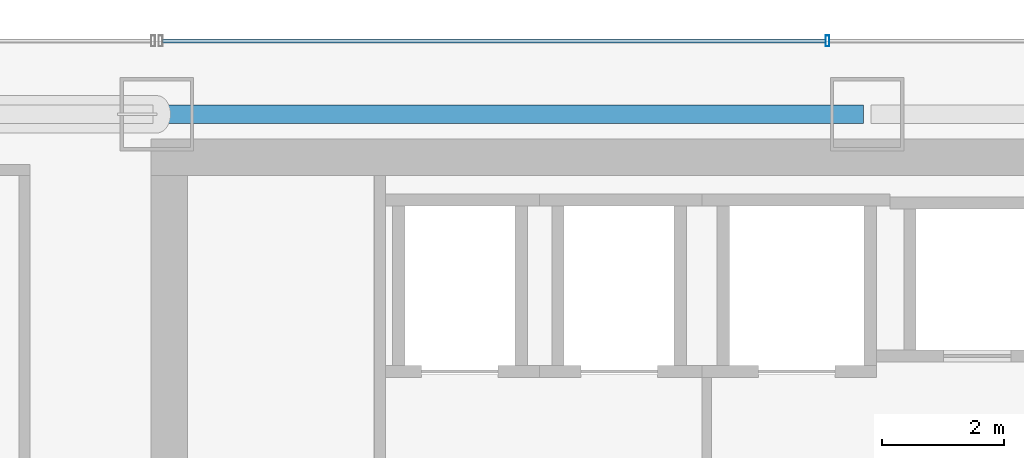
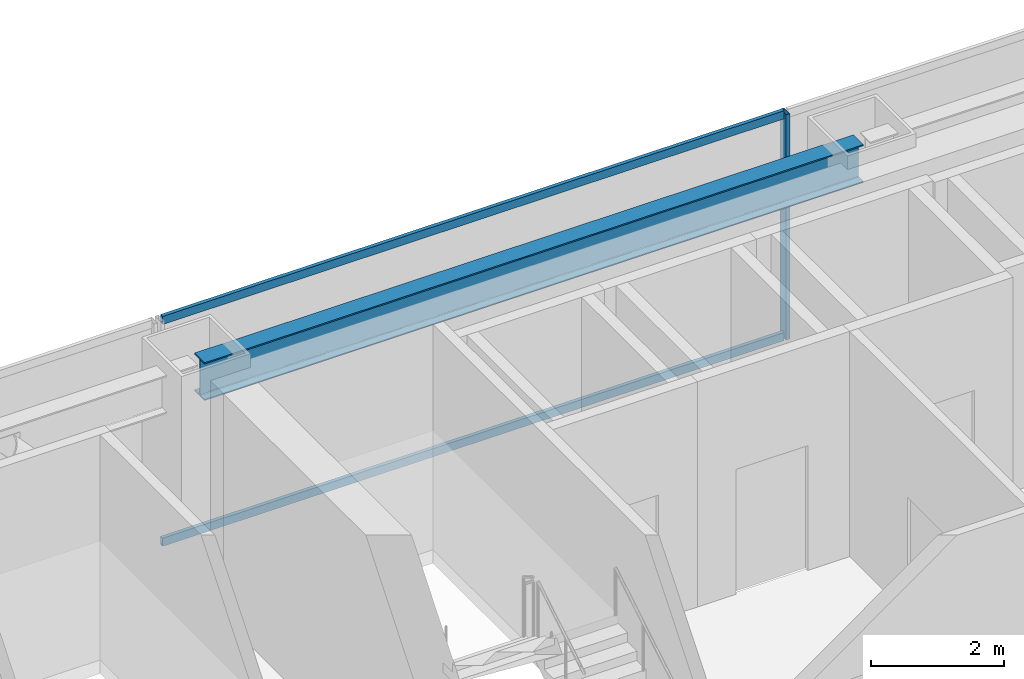
# One storey, part 27 of 47: 3 members, 1 beam, 1 element without a shape of its own.
"""IFC4 building model written with IfcOpenShell, lengths in metres."""

from ifc_helpers import new_model, si_unit, direction, frame, origin, origin_2d, place, context, subcontext, project, spatial, hollow_rectangle, i_section, extrude, material, material_profile, profile_set, type_object, element, aggregate, save


model = new_model("IFC4")

# Units and contexts
model_context = context("Model", 3, precision=1e-05, world=origin(), true_north=direction((0.0, 1.0)))
body_context = subcontext(model_context, "Body", "Model", "MODEL_VIEW")
ifc_project = project(units=[si_unit("LENGTHUNIT", "METRE"), si_unit("AREAUNIT", "SQUARE_METRE"), si_unit("VOLUMEUNIT", "CUBIC_METRE"), si_unit("PLANEANGLEUNIT", "RADIAN"), si_unit("MASSUNIT", "GRAM", prefix="KILO")], contexts=[model_context])

# Site, building, storey
site_placement = place(None, origin())
site = spatial("IfcSite", under=ifc_project, at=site_placement, CompositionType="ELEMENT")
building_placement = place(site_placement, origin())
building = spatial("IfcBuilding", under=site, at=building_placement, Name="Saevonmaru Cultural Tower", CompositionType="ELEMENT")
storey_placement = place(building_placement, frame((0.0, 0.0, 51.60009765625)))
storey = spatial("IfcBuildingStorey", under=building, at=storey_placement, Name="L10", CompositionType="ELEMENT", Elevation=51.60009765625)

# Beam
ifc_material_1 = material(Name="Steel SM355", Category="steel")
ifc_material_profile_1 = material_profile(ifc_material_1, i_section(OverallWidth=0.300048828125, OverallDepth=0.699951171875, WebThickness=0.012939453125, FlangeThickness=0.02392578125, FilletRadius=0.02587890625, at=origin_2d()), Name="H-700x300x13x24")
ifc_profile_set_1 = profile_set([ifc_material_profile_1], Name="Steel SM355")
beam_type = type_object("IfcBeamType", Name="BM-SP-H700", PredefinedType="SPANDREL", material=ifc_profile_set_1)
beam_placement = place(storey_placement, frame((13.659912109375, 54.800048828125, 3.7998046875), z_axis=(1.0, 0.0, 0.0), x_axis=(0.0, 1.0, 0.0)))
element("IfcBeam", 1, at=beam_placement, inside=storey, type_object=beam_type, Name="L10 North Spine Girder 2", PredefinedType="SPANDREL", context=body_context, shape_type="SweptSolid", body=[
    extrude(i_section(OverallWidth=0.300048828125, OverallDepth=0.699951171875, WebThickness=0.012939453125, FlangeThickness=0.02392578125, FilletRadius=0.02587890625, at=origin_2d()), origin(), (0.0, 0.0, 1.0), 11.47998046875),
])

# Curtain wall, members
ifc_material_2 = material(Name="Satin Bronze Anodised Aluminium", Category="aluminium")
curtain_wall_type = type_object("IfcCurtainWallType", Name="CW-TYP-A", PredefinedType="NOTDEFINED", material=ifc_material_2)
curtain_wall_placement = place(storey_placement, origin())
curtain_wall = element("IfcCurtainWall", 2, at=curtain_wall_placement, inside=storey, type_object=curtain_wall_type, Name="L10 North Spine Unitised Curtain Wall E10B", PredefinedType="NOTDEFINED")
ifc_material_profile_2 = material_profile(ifc_material_2, hollow_rectangle(XDim=0.06494140625, YDim=0.179931640625, WallThickness=0.00390625, at=origin_2d()), Name="ALU-MULL-180x65x4")
ifc_profile_set_2 = profile_set([ifc_material_profile_2], Name="Satin Bronze Anodised Aluminium")
member_type_1 = type_object("IfcMemberType", Name="ML-CW-180x65", PredefinedType="MULLION", material=ifc_profile_set_2)
member_1_placement = place(storey_placement, frame((24.55322265625, 56.0, 0.0), z_axis=(0.0, 0.0, 1.0), x_axis=(-1.0, 0.0, 0.0)))
member_1 = element("IfcMember", 3, at=member_1_placement, type_object=member_type_1, Name="CW-TW-L10-E10B mullion 3", PredefinedType="MULLION", context=body_context, shape_type="SweptSolid", body=[
    extrude(hollow_rectangle(XDim=0.06494140625, YDim=0.179931640625, WallThickness=0.00390625, at=origin_2d()), origin(), (0.0, 0.0, 1.0), 4.14990234375),
])
ifc_material_profile_3 = material_profile(ifc_material_2, hollow_rectangle(XDim=0.06494140625, YDim=0.14990234375, WallThickness=0.00390625, at=origin_2d()), Name="ALU-TRAN-150x65x4")
ifc_profile_set_3 = profile_set([ifc_material_profile_3], Name="Satin Bronze Anodised Aluminium")
member_type_2 = type_object("IfcMemberType", Name="TR-CW-150x65", PredefinedType="USERDEFINED", material=ifc_profile_set_3)
member_2_placement = place(storey_placement, frame((24.520751953125, 56.0, 0.032470703125), z_axis=(-1.0, 0.0, 0.0), x_axis=(0.0, -1.0, 0.0)))
member_2 = element("IfcMember", 4, at=member_2_placement, type_object=member_type_2, Name="CW-TW-L10-E10B transom 3.1", ObjectType="TRANSOM", PredefinedType="USERDEFINED", context=body_context, shape_type="SweptSolid", body=[
    extrude(hollow_rectangle(XDim=0.06494140625, YDim=0.14990234375, WallThickness=0.00390625, at=origin_2d()), origin(), (0.0, 0.0, 1.0), 10.828369140625),
])
member_3_placement = place(storey_placement, frame((24.520751953125, 56.0, 4.117431640625), z_axis=(-1.0, 0.0, 0.0), x_axis=(0.0, -1.0, 0.0)))
member_3 = element("IfcMember", 5, at=member_3_placement, type_object=member_type_2, Name="CW-TW-L10-E10B transom 3.2", ObjectType="TRANSOM", PredefinedType="USERDEFINED", context=body_context, shape_type="SweptSolid", body=[
    extrude(hollow_rectangle(XDim=0.06494140625, YDim=0.14990234375, WallThickness=0.00390625, at=origin_2d()), origin(), (0.0, 0.0, 1.0), 10.828369140625),
])
aggregate(curtain_wall, [member_1, member_2, member_3])

save(model, "model.ifc")
